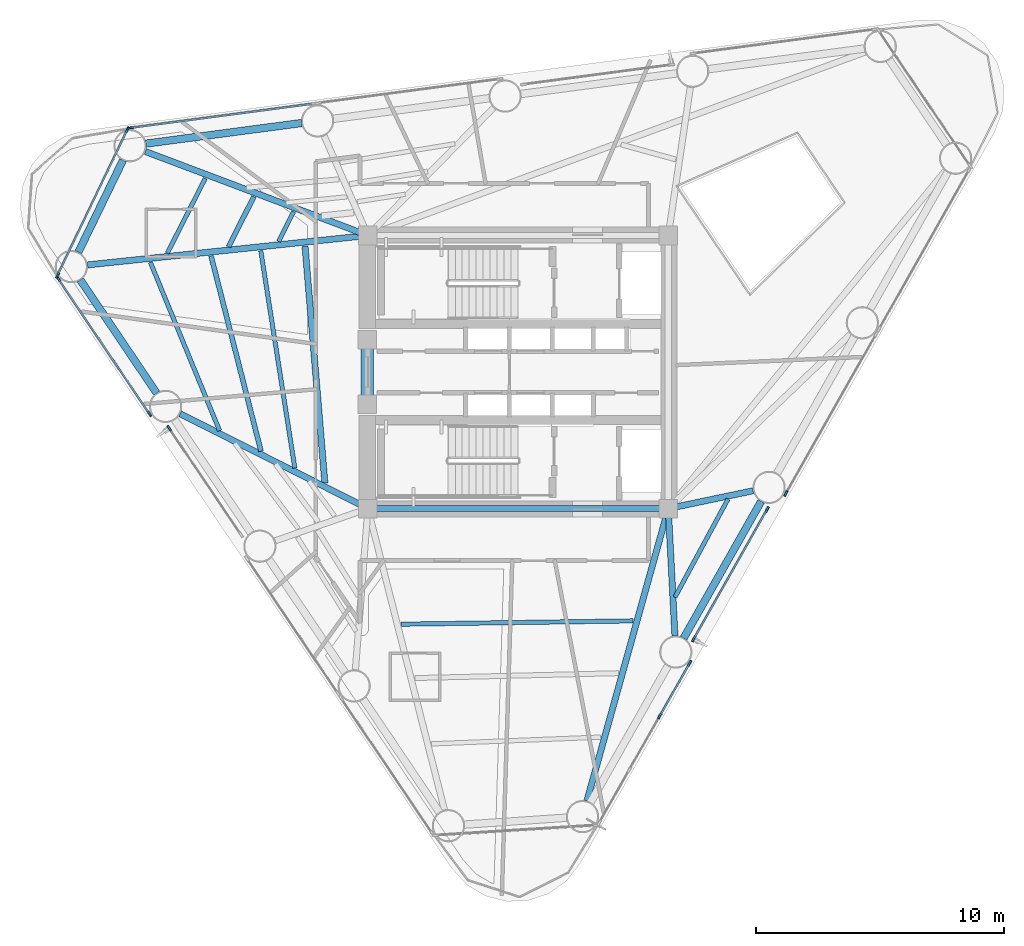
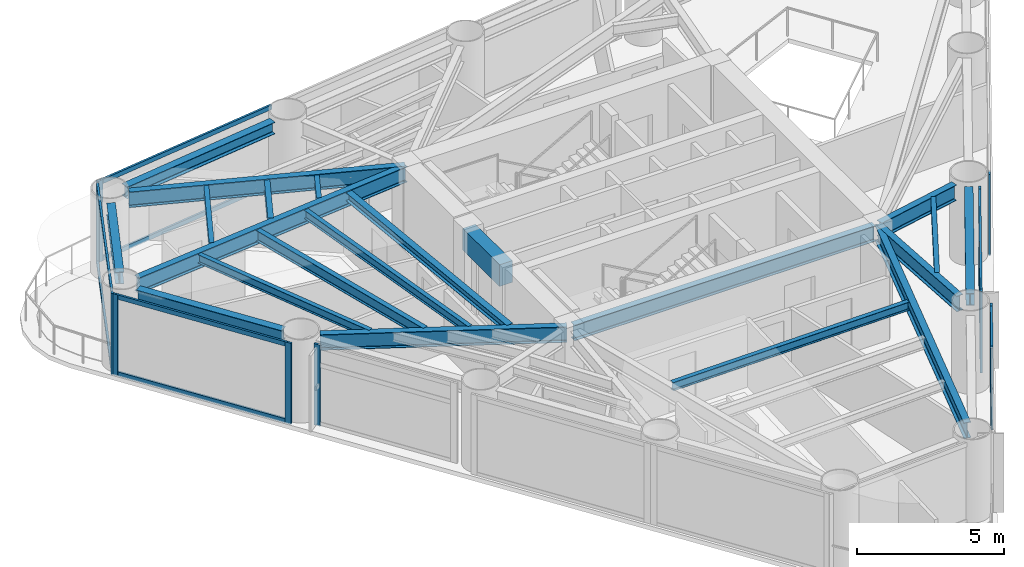
# One storey, part 2 of 9: 23 members, 21 beams, 7 elements without a shape of their own.
"""IFC4 building model written with IfcOpenShell, lengths in metres."""

import ifcopenshell
import ifcopenshell.guid

model = None  # the IFC model being written
_history = None  # IfcOwnerHistory: only IFC2X3 demands one
_inside = {}  # id of a spatial element -> (the spatial element, [elements in it])
_under = {}  # id of a project, library or spatial element -> (it, [spatial elements below it])
_declared = {}  # id of a project -> (the project, [libraries it declares])
_typed = {}  # id of a type object -> (the type object, [elements of that type])
_made_of = {}  # id of a material, layer set ... -> (it, [elements and type objects made of it])


def new_model(schema):
    """Start an empty IFC model of exactly this schema.

    Asked for "IFC4X3", IfcOpenShell would pick the latest addendum, in which some entities
    have other attributes; the version numbers below select the first issue.
    IFC2X3 requires an IfcOwnerHistory on every rooted entity: one is made here for all.
    """
    global model, _history
    if schema == "IFC4X3":
        model = ifcopenshell.file(schema_version=(4, 3, 0, 0))
    else:
        model = ifcopenshell.file(schema=schema)
    _inside.clear()
    _under.clear()
    _declared.clear()
    _typed.clear()
    _made_of.clear()
    _history = None
    if model.schema == "IFC2X3":
        org = make("IfcOrganization", Name="unknown")
        user = make(
            "IfcPersonAndOrganization",
            ThePerson=make("IfcPerson", FamilyName="unknown"),
            TheOrganization=org,
        )
        app = make(
            "IfcApplication",
            ApplicationDeveloper=org,
            Version="unknown",
            ApplicationFullName="unknown",
            ApplicationIdentifier="unknown",
        )
        _history = make(
            "IfcOwnerHistory",
            OwningUser=user,
            OwningApplication=app,
            ChangeAction="ADDED",
            CreationDate=0,
        )
    return model


def make(cls, **values):
    """One entity of the class cls with the attributes given. An attribute that is None is left unset."""
    return model.create_entity(
        cls, **{name: value for name, value in values.items() if value is not None}
    )


def rooted(cls, **values):
    """An entity with a GlobalId (a new one), such as an element, a storey or a relation."""
    return make(cls, GlobalId=ifcopenshell.guid.new(), OwnerHistory=_history, **values)


def si_unit(unit_type, name, prefix=None):
    """IfcSIUnit, for example si_unit("LENGTHUNIT", "METRE", prefix="MILLI")."""
    return make("IfcSIUnit", UnitType=unit_type, Prefix=prefix, Name=name)


def assignment(units):
    """IfcUnitAssignment: the units of a project."""
    return None if units is None else make("IfcUnitAssignment", Units=units)


def point(xyz):
    """IfcCartesianPoint."""
    return None if xyz is None else make("IfcCartesianPoint", Coordinates=xyz)


def direction(xyz):
    """IfcDirection."""
    return None if xyz is None else make("IfcDirection", DirectionRatios=xyz)


def frame(location, z_axis=None, x_axis=None):
    """IfcAxis2Placement3D, a coordinate frame: its origin and axes. An axis left out is left unset."""
    return make(
        "IfcAxis2Placement3D",
        Location=point(location),
        Axis=direction(z_axis),
        RefDirection=direction(x_axis),
    )


def frame_2d(location, x_axis=None):
    """IfcAxis2Placement2D, a coordinate frame in the plane: its origin and x axis."""
    return make(
        "IfcAxis2Placement2D", Location=point(location), RefDirection=direction(x_axis)
    )


def origin():
    """The frame at (0, 0, 0) with its axes left unset."""
    return frame((0.0, 0.0, 0.0))


def origin_2d():
    """The frame at (0, 0) in the plane with its x axis left unset."""
    return frame_2d((0.0, 0.0))


def place(relative_to, where):
    """IfcLocalPlacement: puts the frame where relative to a parent placement (None: the world)."""
    return make(
        "IfcLocalPlacement", PlacementRelTo=relative_to, RelativePlacement=where
    )


def context(
    kind, dimensions, precision=None, world=None, true_north=None, identifier=None
):
    """IfcGeometricRepresentationContext, for example the 3D "Model" context."""
    return make(
        "IfcGeometricRepresentationContext",
        ContextIdentifier=identifier,
        ContextType=kind,
        CoordinateSpaceDimension=dimensions,
        Precision=precision,
        WorldCoordinateSystem=world,
        TrueNorth=true_north,
    )


def subcontext(parent, identifier, kind, view, scale=None):
    """IfcGeometricRepresentationSubContext, for example "Body" below "Model"."""
    return make(
        "IfcGeometricRepresentationSubContext",
        ContextIdentifier=identifier,
        ContextType=kind,
        ParentContext=parent,
        TargetScale=scale,
        TargetView=view,
    )


def project(units=None, contexts=None):
    """IfcProject with its units and contexts."""
    return rooted(
        "IfcProject",
        Name="project",
        RepresentationContexts=contexts,
        UnitsInContext=assignment(units),
    )


def spatial(cls, under=None, at=None, **own):
    """A site, building, storey or space (cls), placed at a placement, below another one or the project."""
    s = rooted(cls, ObjectPlacement=at, **own)
    if under is not None:
        _under.setdefault(under.id(), (under, []))[1].append(s)
    return s


def profile(cls, at=None, kind="AREA", **sizes):
    """A parametric profile (cls). Its sizes go by their IFC names, for example OverallWidth=200.0."""
    return make(cls, ProfileType=kind, Position=at, **sizes)


def rectangle(**sizes):
    """IfcRectangleProfileDef."""
    return profile("IfcRectangleProfileDef", **sizes)


def i_section(**sizes):
    """IfcIShapeProfileDef."""
    return profile("IfcIShapeProfileDef", **sizes)


def extrude(swept, where, along, depth):
    """IfcExtrudedAreaSolid: the profile swept, set in the frame where, extruded along a direction by depth."""
    return make(
        "IfcExtrudedAreaSolid",
        SweptArea=swept,
        Position=where,
        ExtrudedDirection=direction(along),
        Depth=depth,
    )


def shape(context_of_items, identifier, shape_type, items):
    """IfcShapeRepresentation: the items that make up one representation, for example the "Body"."""
    return make(
        "IfcShapeRepresentation",
        ContextOfItems=context_of_items,
        RepresentationIdentifier=identifier,
        RepresentationType=shape_type,
        Items=items,
    )


def source(mapping_origin, context_of_items, identifier, shape_type, items):
    """IfcRepresentationMap: a shape defined once, which mapped items show again and again."""
    return make(
        "IfcRepresentationMap",
        MappingOrigin=mapping_origin,
        MappedRepresentation=shape(context_of_items, identifier, shape_type, items),
    )


def transform(
    local_origin,
    x_axis=None,
    y_axis=None,
    z_axis=None,
    scale=None,
    scale2=None,
    scale3=None,
    uniform=True,
):
    """IfcCartesianTransformationOperator3D, or its non-uniform kind. x_axis, y_axis, z_axis: its Axis1, 2, 3."""
    if uniform:
        return make(
            "IfcCartesianTransformationOperator3D",
            Axis1=direction(x_axis),
            Axis2=direction(y_axis),
            LocalOrigin=point(local_origin),
            Scale=scale,
            Axis3=direction(z_axis),
        )
    return make(
        "IfcCartesianTransformationOperator3DnonUniform",
        Axis1=direction(x_axis),
        Axis2=direction(y_axis),
        LocalOrigin=point(local_origin),
        Scale=scale,
        Axis3=direction(z_axis),
        Scale2=scale2,
        Scale3=scale3,
    )


def mapped(mapping_source, mapping_target):
    """IfcMappedItem: shows the shape of a source again, moved by a transform."""
    return make(
        "IfcMappedItem", MappingSource=mapping_source, MappingTarget=mapping_target
    )


def material(Name=None, Category=None):
    """IfcMaterial."""
    return make("IfcMaterial", Name=Name, Category=Category)


def layer(
    of_material, thickness, ventilated=None, Name=None, Category=None, Priority=None
):
    """IfcMaterialLayer: one layer of a wall or slab, of a material (None: an air gap)."""
    return make(
        "IfcMaterialLayer",
        Material=of_material,
        LayerThickness=thickness,
        IsVentilated=ventilated,
        Name=Name,
        Category=Category,
        Priority=Priority,
    )


def layer_set(layers, Name=None):
    """IfcMaterialLayerSet."""
    return make("IfcMaterialLayerSet", MaterialLayers=layers, LayerSetName=Name)


def material_profile(
    of_material, cross_section, Name=None, Category=None, Priority=None
):
    """IfcMaterialProfile: a cross section and its material."""
    return make(
        "IfcMaterialProfile",
        Name=Name,
        Material=of_material,
        Profile=cross_section,
        Priority=Priority,
        Category=Category,
    )


def profile_set(profiles, Name=None, composite=None):
    """IfcMaterialProfileSet."""
    return make(
        "IfcMaterialProfileSet",
        Name=Name,
        MaterialProfiles=profiles,
        CompositeProfile=composite,
    )


def made_of(thing, what):
    """Note that an element or type object is made of a material, layer set ...; save() writes the relation."""
    if what is not None:
        _made_of.setdefault(what.id(), (what, []))[1].append(thing)
    return thing


def type_object(cls, material=None, **own):
    """A type object (cls), such as IfcWallType, which elements share."""
    return made_of(rooted(cls, **own), material)


def element(
    cls,
    number,
    at=None,
    inside=None,
    cuts=None,
    type_object=None,
    material=None,
    context=None,
    identifier="Body",
    shape_type=None,
    held_by="IfcProductDefinitionShape",
    body=None,
    shapes=None,
    **own,
):
    """One element of the class cls, such as IfcWall. Its Tag is "e" and its number.

    at: its placement. inside: the storey or other place that contains it. cuts: it is an
    opening in that element (IfcRelVoidsElement). A single representation is given by context,
    identifier, shape_type and body (its items); several are given by shapes. held_by: the class
    of the entity that holds the representations. save() writes the other relations.
    """
    e = rooted(cls, Tag="e%d" % number, ObjectPlacement=at, **own)
    if body is not None:
        shapes = [shape(context, identifier, shape_type, body)]
    if shapes is not None:
        e.Representation = make(held_by, Representations=shapes)
    if inside is not None:
        _inside.setdefault(inside.id(), (inside, []))[1].append(e)
    if cuts is not None:
        rooted(
            "IfcRelVoidsElement", RelatingBuildingElement=cuts, RelatedOpeningElement=e
        )
    if type_object is not None:
        _typed.setdefault(type_object.id(), (type_object, []))[1].append(e)
    return made_of(e, material)


def aggregate(whole, parts):
    """IfcRelAggregates: a whole, such as a stair, and the parts it consists of."""
    return rooted("IfcRelAggregates", RelatingObject=whole, RelatedObjects=parts)


def save(model, path):
    """Write the relations noted so far, then the file.

    IfcRelAggregates (storeys below a building ...), IfcRelContainedInSpatialStructure (elements
    in a storey), IfcRelDefinesByType, IfcRelAssociatesMaterial and IfcRelDeclares: one each for
    every whole, place, type object, material and project.
    """
    for whole, parts in _under.values():
        aggregate(whole, parts)
    for where, things in _inside.values():
        rooted(
            "IfcRelContainedInSpatialStructure",
            RelatedElements=things,
            RelatingStructure=where,
        )
    for kind, things in _typed.values():
        rooted("IfcRelDefinesByType", RelatedObjects=things, RelatingType=kind)
    for what, things in _made_of.values():
        rooted("IfcRelAssociatesMaterial", RelatedObjects=things, RelatingMaterial=what)
    for by, libraries in _declared.values():
        rooted("IfcRelDeclares", RelatingContext=by, RelatedDefinitions=libraries)
    model.write(path)


model = new_model("IFC4")

# Units and contexts
model_context = context("Model", 3, precision=1e-05, world=origin(), true_north=direction((0.0, 1.0)))
body_context = subcontext(model_context, "Body", "Model", "MODEL_VIEW")
ifc_project = project(units=[si_unit("LENGTHUNIT", "METRE"), si_unit("AREAUNIT", "SQUARE_METRE"), si_unit("VOLUMEUNIT", "CUBIC_METRE"), si_unit("PLANEANGLEUNIT", "RADIAN"), si_unit("MASSUNIT", "GRAM", prefix="KILO")], contexts=[model_context])

# Site, building, storey
site_placement = place(None, origin())
site = spatial("IfcSite", under=ifc_project, at=site_placement, CompositionType="ELEMENT")
building_placement = place(site_placement, origin())
building = spatial("IfcBuilding", under=site, at=building_placement, Name="Yunling Apex Tower", CompositionType="ELEMENT")
storey_placement = place(building_placement, frame((0.0, 0.0, 179.449951171875)))
storey = spatial("IfcBuildingStorey", under=building, at=storey_placement, Name="L44", CompositionType="ELEMENT", Elevation=179.449951171875)

# Beams
ifc_material_1 = material(Name="Concrete C50", Category="concrete")
ifc_material_profile_1 = material_profile(ifc_material_1, rectangle(XDim=0.5, YDim=0.89990234375, at=origin_2d()))
ifc_profile_set_1 = profile_set([ifc_material_profile_1], Name="Concrete C50")
beam_type_1 = type_object("IfcBeamType", Name="BC-CPL-2", PredefinedType="BEAM", material=ifc_profile_set_1)
shared_shape_1 = source(origin(), body_context, "Body", "SweptSolid", [
    extrude(rectangle(XDim=0.5, YDim=0.89990234375, at=origin_2d()), origin(), (0.0, 0.0, 1.0), 2.5),
])
beam_1_placement = place(storey_placement, frame((-6.074951171875, -1.25, 2.820068359375), z_axis=(0.0, 1.0, 0.0), x_axis=(-1.0, 0.0, 0.0)))
element("IfcBeam", 1, at=beam_1_placement, inside=storey, type_object=beam_type_1, Name="L44 Core West Portal Coupling Beam", PredefinedType="BEAM", context=body_context, shape_type="MappedRepresentation", body=[
    mapped(shared_shape_1, transform((0.0, 0.0, 0.0), scale=1.0)),
])
ifc_material_2 = material(Name="Steel Q355B", Category="steel")
ifc_material_profile_2 = material_profile(ifc_material_2, i_section(OverallWidth=0.25, OverallDepth=0.64990234375, WebThickness=0.011962890625, FlangeThickness=0.02001953125, FilletRadius=0.02392578125, at=origin_2d()))
ifc_profile_set_2 = profile_set([ifc_material_profile_2], Name="Steel Q355B")
beam_type_2 = type_object("IfcBeamType", Name="BG-PRI-4", PredefinedType="USERDEFINED", material=ifc_profile_set_2)
shared_shape_2 = source(origin(), body_context, "Body", "SweptSolid", [
    extrude(i_section(OverallWidth=0.25, OverallDepth=0.64990234375, WebThickness=0.011962890625, FlangeThickness=0.02001953125, FilletRadius=0.02392578125, at=origin_2d()), origin(), (0.0, 0.0, 1.0), 11.7998046875),
])
beam_2_placement = place(storey_placement, frame((-5.89990234375, -5.5, 2.945068359375), z_axis=(1.0, 0.0, 0.0), x_axis=(0.0, 1.0, 0.0)))
element("IfcBeam", 2, at=beam_2_placement, inside=storey, type_object=beam_type_2, Name="L44 Core Ring Tie Beam 1", ObjectType="GIRDER", PredefinedType="USERDEFINED", context=body_context, shape_type="MappedRepresentation", body=[
    mapped(shared_shape_2, transform((0.0, 0.0, 0.0), scale=1.0)),
])
ifc_material_profile_3 = material_profile(ifc_material_2, i_section(OverallWidth=0.300048828125, OverallDepth=0.489990234375, WebThickness=0.010986328125, FlangeThickness=0.01806640625, FilletRadius=0.02197265625, at=origin_2d()))
ifc_profile_set_3 = profile_set([ifc_material_profile_3], Name="Steel Q355B")
beam_type_3 = type_object("IfcBeamType", Name="BP-SPN-2", PredefinedType="SPANDREL", material=ifc_profile_set_3)
shared_shape_3 = source(origin(), body_context, "Body", "SweptSolid", [
    extrude(i_section(OverallWidth=0.300048828125, OverallDepth=0.489990234375, WebThickness=0.010986328125, FlangeThickness=0.01806640625, FilletRadius=0.02197265625, at=origin_2d()), origin(), (0.0, 0.0, 1.0), 6.33251953125),
])
for number, where, z_axis, x_axis, name in (
    (3, (6.66943359375, -10.717529296875, 3.025146484375), (0.493030081742, 0.870012263418, 0.0), (-0.870012263418, 0.493030081742, 0.0), "L44 Perimeter Spandrel Beam 2"),
    (4, (-8.715576171875, 10.02978515625, 3.025146484375), (-0.991351373324, -0.131234349957, 0.0), (0.131234349957, -0.991351373324, 0.0), "L44 Perimeter Spandrel Beam 9"),
):
    element("IfcBeam", number, at=place(storey_placement, frame(where, z_axis=z_axis, x_axis=x_axis)), inside=storey, type_object=beam_type_3, Name=name, PredefinedType="SPANDREL", context=body_context, shape_type="MappedRepresentation", body=[
        mapped(shared_shape_3, transform((0.0, 0.0, 0.0), scale=1.0)),
    ])
shared_shape_4 = source(origin(), body_context, "Body", "SweptSolid", [
    extrude(i_section(OverallWidth=0.300048828125, OverallDepth=0.489990234375, WebThickness=0.010986328125, FlangeThickness=0.01806640625, FilletRadius=0.02197265625, at=origin_2d()), origin(), (0.0, 0.0, 1.0), 4.1240234375),
])
beam_3_placement = place(storey_placement, frame((-15.9130859375, 8.534912109375, 3.025146484375), z_axis=(-0.436645295051, -0.899633751206, 0.0), x_axis=(0.899633751206, -0.436645295051, 0.0)))
element("IfcBeam", 5, at=beam_3_placement, inside=storey, type_object=beam_type_3, Name="L44 Perimeter Spandrel Beam 10", PredefinedType="SPANDREL", context=body_context, shape_type="MappedRepresentation", body=[
    mapped(shared_shape_4, transform((0.0, 0.0, 0.0), scale=1.0)),
])
shared_shape_5 = source(origin(), body_context, "Body", "SweptSolid", [
    extrude(i_section(OverallWidth=0.300048828125, OverallDepth=0.489990234375, WebThickness=0.010986328125, FlangeThickness=0.01806640625, FilletRadius=0.02197265625, at=origin_2d()), origin(), (0.0, 0.0, 1.0), 5.5029296875),
])
beam_4_placement = place(storey_placement, frame((-17.635009765625, 3.711181640625, 3.025146484375), z_axis=(0.559227477119, -0.829014251286, 0.0), x_axis=(0.829014251286, 0.559227477119, 0.0)))
element("IfcBeam", 6, at=beam_4_placement, inside=storey, type_object=beam_type_3, Name="L44 Perimeter Spandrel Beam 11", PredefinedType="SPANDREL", context=body_context, shape_type="MappedRepresentation", body=[
    mapped(shared_shape_5, transform((0.0, 0.0, 0.0), scale=1.0)),
])
shared_shape_6 = source(origin(), body_context, "Body", "SweptSolid", [
    extrude(i_section(OverallWidth=0.25, OverallDepth=0.64990234375, WebThickness=0.011962890625, FlangeThickness=0.02001953125, FilletRadius=0.02392578125, at=origin_2d()), origin(), (0.0, 0.0, 1.0), 12.141845703125),
])
beam_5_placement = place(storey_placement, frame((2.771240234375, -17.27392578125, 2.945068359375), z_axis=(0.268272262363, 0.9633431337, 0.0), x_axis=(-0.9633431337, 0.268272262363, 0.0)))
element("IfcBeam", 7, at=beam_5_placement, inside=storey, type_object=beam_type_2, Name="L44 Radial Primary Girder R01", ObjectType="GIRDER", PredefinedType="USERDEFINED", context=body_context, shape_type="MappedRepresentation", body=[
    mapped(shared_shape_6, transform((0.0, 0.0, 0.0), scale=1.0)),
])
shared_shape_7 = source(origin(), body_context, "Body", "SweptSolid", [
    extrude(i_section(OverallWidth=0.25, OverallDepth=0.64990234375, WebThickness=0.011962890625, FlangeThickness=0.02001953125, FilletRadius=0.02392578125, at=origin_2d()), origin(), (0.0, 0.0, 1.0), 5.0478515625),
])
beam_6_placement = place(storey_placement, frame((6.317626953125, -10.620849609375, 2.945068359375), z_axis=(-0.052185671931, 0.998637399482, 0.0), x_axis=(-0.998637399482, -0.052185671931, 0.0)))
element("IfcBeam", 8, at=beam_6_placement, inside=storey, type_object=beam_type_2, Name="L44 Radial Primary Girder R02", ObjectType="GIRDER", PredefinedType="USERDEFINED", context=body_context, shape_type="MappedRepresentation", body=[
    mapped(shared_shape_7, transform((0.0, 0.0, 0.0), scale=1.0)),
])
shared_shape_8 = source(origin(), body_context, "Body", "SweptSolid", [
    extrude(i_section(OverallWidth=0.25, OverallDepth=0.64990234375, WebThickness=0.011962890625, FlangeThickness=0.02001953125, FilletRadius=0.02392578125, at=origin_2d()), origin(), (0.0, 0.0, 1.0), 3.409423828125),
])
beam_7_placement = place(storey_placement, frame((9.465087890625, -4.783203125, 2.945068359375), z_axis=(-0.978668904593, -0.205443849219, 0.0), x_axis=(0.205443849219, -0.978668904593, 0.0)))
element("IfcBeam", 9, at=beam_7_placement, inside=storey, type_object=beam_type_2, Name="L44 Radial Primary Girder R03", ObjectType="GIRDER", PredefinedType="USERDEFINED", context=body_context, shape_type="MappedRepresentation", body=[
    mapped(shared_shape_8, transform((0.0, 0.0, 0.0), scale=1.0)),
])
shared_shape_9 = source(origin(), body_context, "Body", "SweptSolid", [
    extrude(i_section(OverallWidth=0.25, OverallDepth=0.64990234375, WebThickness=0.011962890625, FlangeThickness=0.02001953125, FilletRadius=0.02392578125, at=origin_2d()), origin(), (0.0, 0.0, 1.0), 9.502685546875),
])
beam_8_placement = place(storey_placement, frame((-15.01611328125, 8.882080078125, 2.945068359375), z_axis=(0.935649587533, -0.352930374648, 0.0), x_axis=(0.352930374648, 0.935649587533, 0.0)))
element("IfcBeam", 10, at=beam_8_placement, inside=storey, type_object=beam_type_2, Name="L44 Radial Primary Girder R10", ObjectType="GIRDER", PredefinedType="USERDEFINED", context=body_context, shape_type="MappedRepresentation", body=[
    mapped(shared_shape_9, transform((0.0, 0.0, 0.0), scale=1.0)),
])
shared_shape_10 = source(origin(), body_context, "Body", "SweptSolid", [
    extrude(i_section(OverallWidth=0.25, OverallDepth=0.64990234375, WebThickness=0.011962890625, FlangeThickness=0.02001953125, FilletRadius=0.02392578125, at=origin_2d()), origin(), (0.0, 0.0, 1.0), 11.272705078125),
])
beam_9_placement = place(storey_placement, frame((-17.340576171875, 4.31396484375, 2.945068359375), z_axis=(0.99452726712, 0.104477341825, 0.0), x_axis=(-0.104477341825, 0.99452726712, 0.0)))
element("IfcBeam", 11, at=beam_9_placement, inside=storey, type_object=beam_type_2, Name="L44 Radial Primary Girder R11", ObjectType="GIRDER", PredefinedType="USERDEFINED", context=body_context, shape_type="MappedRepresentation", body=[
    mapped(shared_shape_10, transform((0.0, 0.0, 0.0), scale=1.0)),
])
shared_shape_11 = source(origin(), body_context, "Body", "SweptSolid", [
    extrude(i_section(OverallWidth=0.25, OverallDepth=0.64990234375, WebThickness=0.011962890625, FlangeThickness=0.02001953125, FilletRadius=0.02392578125, at=origin_2d()), origin(), (0.0, 0.0, 1.0), 8.389892578125),
])
beam_10_placement = place(storey_placement, frame((-13.610107421875, -1.681396484375, 2.945068359375), z_axis=(0.892603997322, -0.450841550841, 0.0), x_axis=(0.450841550841, 0.892603997322, 0.0)))
element("IfcBeam", 12, at=beam_10_placement, inside=storey, type_object=beam_type_2, Name="L44 Radial Primary Girder R12", ObjectType="GIRDER", PredefinedType="USERDEFINED", context=body_context, shape_type="MappedRepresentation", body=[
    mapped(shared_shape_11, transform((0.0, 0.0, 0.0), scale=1.0)),
])
ifc_material_profile_4 = material_profile(ifc_material_2, i_section(OverallWidth=0.175048828125, OverallDepth=0.35009765625, WebThickness=0.007080078125, FlangeThickness=0.010986328125, FilletRadius=0.013916015625, at=origin_2d()))
ifc_profile_set_4 = profile_set([ifc_material_profile_4], Name="Steel Q355B")
beam_type_4 = type_object("IfcBeamType", Name="BJ-JST-1", PredefinedType="JOIST", material=ifc_profile_set_4)
shared_shape_12 = source(origin(), body_context, "Body", "SweptSolid", [
    extrude(i_section(OverallWidth=0.175048828125, OverallDepth=0.35009765625, WebThickness=0.007080078125, FlangeThickness=0.010986328125, FilletRadius=0.013916015625, at=origin_2d()), origin(), (0.0, 0.0, 1.0), 4.488525390625),
])
beam_11_placement = place(storey_placement, frame((6.31982421875, -9.068603515625, 3.094970703125), z_axis=(0.475594391265, 0.87966469464, 0.0), x_axis=(-0.87966469464, 0.475594391265, 0.0)))
element("IfcBeam", 13, at=beam_11_placement, inside=storey, type_object=beam_type_4, Name="L44 Composite Floor Joist BJ1-2", PredefinedType="JOIST", context=body_context, shape_type="MappedRepresentation", body=[
    mapped(shared_shape_12, transform((0.0, 0.0, 0.0), scale=1.0)),
])
ifc_material_profile_5 = material_profile(ifc_material_2, i_section(OverallWidth=0.199951171875, OverallDepth=0.449951171875, WebThickness=0.009033203125, FlangeThickness=0.013916015625, FilletRadius=0.01806640625, at=origin_2d()))
ifc_profile_set_5 = profile_set([ifc_material_profile_5], Name="Steel Q355B")
beam_type_5 = type_object("IfcBeamType", Name="BS-SEC-3", PredefinedType="BEAM", material=ifc_profile_set_5)
shared_shape_13 = source(origin(), body_context, "Body", "SweptSolid", [
    extrude(i_section(OverallWidth=0.199951171875, OverallDepth=0.449951171875, WebThickness=0.009033203125, FlangeThickness=0.013916015625, FilletRadius=0.01806640625, at=origin_2d()), origin(), (0.0, 0.0, 1.0), 2.260498046875),
])
beam_12_placement = place(storey_placement, frame((-10.642578125, 7.0625, 3.045166015625), z_axis=(-0.451356210078, -0.892343864003, 0.0), x_axis=(0.892343864003, -0.451356210078, 0.0)))
element("IfcBeam", 14, at=beam_12_placement, inside=storey, type_object=beam_type_5, Name="L44 Composite Floor Beam BS-10", PredefinedType="BEAM", context=body_context, shape_type="MappedRepresentation", body=[
    mapped(shared_shape_13, transform((0.0, 0.0, 0.0), scale=1.0)),
])
shared_shape_14 = source(origin(), body_context, "Body", "SweptSolid", [
    extrude(i_section(OverallWidth=0.175048828125, OverallDepth=0.35009765625, WebThickness=0.007080078125, FlangeThickness=0.010986328125, FilletRadius=0.013916015625, at=origin_2d()), origin(), (0.0, 0.0, 1.0), 3.380126953125),
])
beam_13_placement = place(storey_placement, frame((-12.59912109375, 7.80029296875, 3.094970703125), z_axis=(-0.452665854376, -0.891680225351, 0.0), x_axis=(0.891680225351, -0.452665854376, 0.0)))
element("IfcBeam", 15, at=beam_13_placement, inside=storey, type_object=beam_type_4, Name="L44 Composite Floor Joist BJ1-10", PredefinedType="JOIST", context=body_context, shape_type="MappedRepresentation", body=[
    mapped(shared_shape_14, transform((0.0, 0.0, 0.0), scale=1.0)),
])
shared_shape_15 = source(origin(), body_context, "Body", "SweptSolid", [
    extrude(i_section(OverallWidth=0.175048828125, OverallDepth=0.35009765625, WebThickness=0.007080078125, FlangeThickness=0.010986328125, FilletRadius=0.013916015625, at=origin_2d()), origin(), (0.0, 0.0, 1.0), 1.34375),
])
beam_14_placement = place(storey_placement, frame((-9.0419921875, 6.45849609375, 3.094970703125), z_axis=(-0.448956972961, -0.893553376374, 0.0), x_axis=(0.893553376374, -0.448956972961, 0.0)))
element("IfcBeam", 16, at=beam_14_placement, inside=storey, type_object=beam_type_4, Name="L44 Composite Floor Joist BJ3-10", PredefinedType="JOIST", context=body_context, shape_type="MappedRepresentation", body=[
    mapped(shared_shape_15, transform((0.0, 0.0, 0.0), scale=1.0)),
])
shared_shape_16 = source(origin(), body_context, "Body", "SweptSolid", [
    extrude(i_section(OverallWidth=0.199951171875, OverallDepth=0.449951171875, WebThickness=0.009033203125, FlangeThickness=0.013916015625, FilletRadius=0.01806640625, at=origin_2d()), origin(), (0.0, 0.0, 1.0), 8.121337890625),
])
beam_15_placement = place(storey_placement, frame((-12.3681640625, 4.677001953125, 3.045166015625), z_axis=(0.247914612688, -0.968781887122, 0.0), x_axis=(0.968781887122, 0.247914612688, 0.0)))
element("IfcBeam", 17, at=beam_15_placement, inside=storey, type_object=beam_type_5, Name="L44 Composite Floor Beam BS-11", PredefinedType="BEAM", context=body_context, shape_type="MappedRepresentation", body=[
    mapped(shared_shape_16, transform((0.0, 0.0, 0.0), scale=1.0)),
])
shared_shape_17 = source(origin(), body_context, "Body", "SweptSolid", [
    extrude(i_section(OverallWidth=0.175048828125, OverallDepth=0.35009765625, WebThickness=0.007080078125, FlangeThickness=0.010986328125, FilletRadius=0.013916015625, at=origin_2d()), origin(), (0.0, 0.0, 1.0), 7.34130859375),
])
beam_16_placement = place(storey_placement, frame((-14.8134765625, 4.425048828125, 3.094970703125), z_axis=(0.380043851262, -0.924968470337, 0.0), x_axis=(0.924968470337, 0.380043851262, 0.0)))
element("IfcBeam", 18, at=beam_16_placement, inside=storey, type_object=beam_type_4, Name="L44 Composite Floor Joist BJ1-11", PredefinedType="JOIST", context=body_context, shape_type="MappedRepresentation", body=[
    mapped(shared_shape_17, transform((0.0, 0.0, 0.0), scale=1.0)),
])
shared_shape_18 = source(origin(), body_context, "Body", "SweptSolid", [
    extrude(i_section(OverallWidth=0.175048828125, OverallDepth=0.35009765625, WebThickness=0.007080078125, FlangeThickness=0.010986328125, FilletRadius=0.013916015625, at=origin_2d()), origin(), (0.0, 0.0, 1.0), 8.861328125),
])
beam_17_placement = place(storey_placement, frame((-10.364990234375, 4.885986328125, 3.094970703125), z_axis=(0.154946679134, -0.987922834348, 0.0), x_axis=(0.987922834348, 0.154946679134, 0.0)))
element("IfcBeam", 19, at=beam_17_placement, inside=storey, type_object=beam_type_4, Name="L44 Composite Floor Joist BJ3-11", PredefinedType="JOIST", context=body_context, shape_type="MappedRepresentation", body=[
    mapped(shared_shape_18, transform((0.0, 0.0, 0.0), scale=1.0)),
])
ifc_material_profile_6 = material_profile(ifc_material_2, i_section(OverallWidth=0.25, OverallDepth=0.340087890625, WebThickness=0.009033203125, FlangeThickness=0.013916015625, FilletRadius=0.01806640625, at=origin_2d()))
ifc_profile_set_6 = profile_set([ifc_material_profile_6], Name="Steel Q355B")
beam_type_6 = type_object("IfcBeamType", Name="BJ-JST-2", PredefinedType="JOIST", material=ifc_profile_set_6)
shared_shape_19 = source(origin(), body_context, "Body", "SweptSolid", [
    extrude(i_section(OverallWidth=0.25, OverallDepth=0.340087890625, WebThickness=0.009033203125, FlangeThickness=0.013916015625, FilletRadius=0.01806640625, at=origin_2d()), origin(), (0.0, 0.0, 1.0), 9.578857421875),
])
beam_18_placement = place(storey_placement, frame((-8.582763671875, 5.072998046875, 3.10009765625), z_axis=(0.083572791263, -0.996501675142, 0.0), x_axis=(0.996501675142, 0.083572791263, 0.0)))
element("IfcBeam", 20, at=beam_18_placement, inside=storey, type_object=beam_type_6, Name="L44 Composite Floor Joist BJ2-11", PredefinedType="JOIST", context=body_context, shape_type="MappedRepresentation", body=[
    mapped(shared_shape_19, transform((0.0, 0.0, 0.0), scale=1.0)),
])
shared_shape_20 = source(origin(), body_context, "Body", "SweptSolid", [
    extrude(i_section(OverallWidth=0.175048828125, OverallDepth=0.35009765625, WebThickness=0.007080078125, FlangeThickness=0.010986328125, FilletRadius=0.013916015625, at=origin_2d()), origin(), (0.0, 0.0, 1.0), 9.337890625),
])
beam_19_placement = place(storey_placement, frame((-4.706298828125, -10.157958984375, 3.094970703125), z_axis=(0.99989735504, 0.014327574275, 0.0), x_axis=(-0.014327574275, 0.99989735504, 0.0)))
element("IfcBeam", 21, at=beam_19_placement, inside=storey, type_object=beam_type_4, Name="L44 Composite Floor Joist BJ3-15", PredefinedType="JOIST", context=body_context, shape_type="MappedRepresentation", body=[
    mapped(shared_shape_20, transform((0.0, 0.0, 0.0), scale=1.0)),
])

# Curtain wall, members
ifc_material_3 = material(Name="Bronze anodised aluminium", Category="aluminium")
ifc_layer = layer(ifc_material_3, 0.239990234375)
ifc_layer_set = layer_set([ifc_layer], Name="Bronze anodised aluminium")
curtain_wall_type = type_object("IfcCurtainWallType", Name="CW-SYS-3", PredefinedType="NOTDEFINED", material=ifc_layer_set)
curtain_wall_1_placement = place(storey_placement, origin())
curtain_wall_1 = element("IfcCurtainWall", 22, at=curtain_wall_1_placement, inside=storey, type_object=curtain_wall_type, Name="CW-L44-F1-B1", PredefinedType="NOTDEFINED")
ifc_material_profile_7 = material_profile(ifc_material_3, rectangle(XDim=0.080078125, YDim=0.239990234375, at=origin_2d()))
ifc_profile_set_7 = profile_set([ifc_material_profile_7], Name="Bronze anodised aluminium")
member_type_1 = type_object("IfcMemberType", Name="CW-MUL-3", PredefinedType="MULLION", material=ifc_profile_set_7)
shared_shape_21 = source(origin(), body_context, "Body", "SweptSolid", [
    extrude(rectangle(XDim=0.080078125, YDim=0.239990234375, at=origin_2d()), origin(), (0.0, 0.0, 1.0), 3.3701171875),
])
member_1_placement = place(storey_placement, frame((5.7041015625, -13.861083984375, -0.050048828125), z_axis=(0.0, 0.0, 1.0), x_axis=(-0.870006087438, 0.493040979859, 0.0)))
member_1 = element("IfcMember", 23, at=member_1_placement, type_object=member_type_1, Name="CW-SYS-3 mullion 3", PredefinedType="MULLION", context=body_context, shape_type="MappedRepresentation", body=[
    mapped(shared_shape_21, transform((0.0, 0.0, 0.0), scale=1.0)),
])
member_2_placement = place(storey_placement, frame((6.910400390625, -11.732421875, -0.050048828125), z_axis=(0.0, 0.0, 1.0), x_axis=(-0.870006087438, 0.493040979859, 0.0)))
member_2 = element("IfcMember", 24, at=member_2_placement, type_object=member_type_1, Name="CW-SYS-3 mullion 4", PredefinedType="MULLION", context=body_context, shape_type="MappedRepresentation", body=[
    mapped(shared_shape_21, transform((0.0, 0.0, 0.0), scale=1.0)),
])

curtain_wall_2_placement = place(storey_placement, origin())
curtain_wall_2 = element("IfcCurtainWall", 25, at=curtain_wall_2_placement, inside=storey, type_object=curtain_wall_type, Name="CW-L44-F1-B2", PredefinedType="NOTDEFINED")
member_3_placement = place(storey_placement, frame((7.0732421875, -10.755615234375, -0.050048828125), z_axis=(0.0, 0.0, 1.0), x_axis=(-0.87000266867, 0.493047012471, 0.0)))
member_3 = element("IfcMember", 26, at=member_3_placement, type_object=member_type_1, Name="CW-SYS-3 mullion 1", PredefinedType="MULLION", context=body_context, shape_type="MappedRepresentation", body=[
    mapped(shared_shape_21, transform((0.0, 0.0, 0.0), scale=1.0)),
])
member_4_placement = place(storey_placement, frame((10.03173828125, -5.53515625, -0.050048828125), z_axis=(0.0, 0.0, 1.0), x_axis=(-0.87000266867, 0.493047012471, 0.0)))
member_4 = element("IfcMember", 27, at=member_4_placement, type_object=member_type_1, Name="CW-SYS-3 mullion 2", PredefinedType="MULLION", context=body_context, shape_type="MappedRepresentation", body=[
    mapped(shared_shape_21, transform((0.0, 0.0, 0.0), scale=1.0)),
])

# Curtain wall, member
curtain_wall_3_placement = place(storey_placement, origin())
curtain_wall_3 = element("IfcCurtainWall", 28, at=curtain_wall_3_placement, inside=storey, type_object=curtain_wall_type, Name="CW-L44-F1-B3", PredefinedType="NOTDEFINED")
member_5_placement = place(storey_placement, frame((10.785888671875, -4.8935546875, -0.050048828125), z_axis=(0.0, 0.0, 1.0), x_axis=(-0.870009345679, 0.493035230416, 0.0)))
member_5 = element("IfcMember", 29, at=member_5_placement, type_object=member_type_1, Name="CW-SYS-3 mullion 1", PredefinedType="MULLION", context=body_context, shape_type="MappedRepresentation", body=[
    mapped(shared_shape_21, transform((0.0, 0.0, 0.0), scale=1.0)),
])
aggregate(curtain_wall_3, [member_5])

curtain_wall_4_placement = place(storey_placement, origin())
curtain_wall_4 = element("IfcCurtainWall", 30, at=curtain_wall_4_placement, inside=storey, type_object=curtain_wall_type, Name="CW-L44-F2-B4", PredefinedType="NOTDEFINED")
member_6_placement = place(storey_placement, frame((-15.60595703125, 9.833740234375, -0.050048828125), z_axis=(0.0, 0.0, 1.0), x_axis=(0.131222473138, -0.991352945496, 0.0)))
member_6 = element("IfcMember", 31, at=member_6_placement, type_object=member_type_1, Name="CW-SYS-3 mullion 2", PredefinedType="MULLION", context=body_context, shape_type="MappedRepresentation", body=[
    mapped(shared_shape_21, transform((0.0, 0.0, 0.0), scale=1.0)),
])

# Curtain wall, members
curtain_wall_5_placement = place(storey_placement, origin())
curtain_wall_5 = element("IfcCurtainWall", 32, at=curtain_wall_5_placement, inside=storey, type_object=curtain_wall_type, Name="CW-L44-CRN2", PredefinedType="NOTDEFINED")
member_7_placement = place(storey_placement, frame((-15.73974609375, 9.76220703125, -0.050048828125), z_axis=(0.0, 0.0, 1.0), x_axis=(0.901876554496, -0.431993843071, 0.0)))
member_7 = element("IfcMember", 33, at=member_7_placement, type_object=member_type_1, Name="CW-SYS-3 mullion 1", PredefinedType="MULLION", context=body_context, shape_type="MappedRepresentation", body=[
    mapped(shared_shape_21, transform((0.0, 0.0, 0.0), scale=1.0)),
])
member_8_placement = place(storey_placement, frame((-18.5498046875, 3.8955078125, -0.050048828125), z_axis=(0.0, 0.0, 1.0), x_axis=(0.901876554496, -0.431993843071, 0.0)))
member_8 = element("IfcMember", 34, at=member_8_placement, type_object=member_type_1, Name="CW-SYS-3 mullion 2", PredefinedType="MULLION", context=body_context, shape_type="MappedRepresentation", body=[
    mapped(shared_shape_21, transform((0.0, 0.0, 0.0), scale=1.0)),
])

curtain_wall_6_placement = place(storey_placement, origin())
curtain_wall_6 = element("IfcCurtainWall", 35, at=curtain_wall_6_placement, inside=storey, type_object=curtain_wall_type, Name="CW-L44-F3-B1", PredefinedType="NOTDEFINED")
member_9_placement = place(storey_placement, frame((-18.5166015625, 3.748779296875, -0.050048828125), z_axis=(0.0, 0.0, 1.0), x_axis=(0.829045302692, 0.559181442901, 0.0)))
member_9 = element("IfcMember", 36, at=member_9_placement, type_object=member_type_1, Name="CW-SYS-3 mullion 1", PredefinedType="MULLION", context=body_context, shape_type="MappedRepresentation", body=[
    mapped(shared_shape_21, transform((0.0, 0.0, 0.0), scale=1.0)),
])
member_10_placement = place(storey_placement, frame((-14.853271484375, -1.682373046875, -0.050048828125), z_axis=(0.0, 0.0, 1.0), x_axis=(0.829045302692, 0.559181442901, 0.0)))
member_10 = element("IfcMember", 37, at=member_10_placement, type_object=member_type_1, Name="CW-SYS-3 mullion 2", PredefinedType="MULLION", context=body_context, shape_type="MappedRepresentation", body=[
    mapped(shared_shape_21, transform((0.0, 0.0, 0.0), scale=1.0)),
])

# Curtain wall, member
curtain_wall_7_placement = place(storey_placement, origin())
curtain_wall_7 = element("IfcCurtainWall", 38, at=curtain_wall_7_placement, inside=storey, type_object=curtain_wall_type, Name="CW-L44-F3-B2", PredefinedType="NOTDEFINED")
member_11_placement = place(storey_placement, frame((-14.05126953125, -2.263427734375, -0.050048828125), z_axis=(0.0, 0.0, 1.0), x_axis=(0.829026137089, 0.559209856873, 0.0)))
member_11 = element("IfcMember", 39, at=member_11_placement, type_object=member_type_1, Name="CW-SYS-3 mullion 1", PredefinedType="MULLION", context=body_context, shape_type="MappedRepresentation", body=[
    mapped(shared_shape_21, transform((0.0, 0.0, 0.0), scale=1.0)),
])
aggregate(curtain_wall_7, [member_11])

# Member
ifc_material_profile_8 = material_profile(ifc_material_3, rectangle(XDim=0.080078125, YDim=0.18505859375, at=origin_2d()))
ifc_profile_set_8 = profile_set([ifc_material_profile_8], Name="Bronze anodised aluminium")
member_type_2 = type_object("IfcMemberType", Name="CW-TRN-3", PredefinedType="USERDEFINED", material=ifc_profile_set_8)
shared_shape_22 = source(origin(), body_context, "Body", "SweptSolid", [
    extrude(rectangle(XDim=0.080078125, YDim=0.18505859375, at=origin_2d()), origin(), (0.0, 0.0, 1.0), 2.374755859375),
])
member_12_placement = place(storey_placement, frame((5.721923828125, -13.829833984375, 0.0400390625), z_axis=(0.493035916127, 0.870008957085, 0.0), x_axis=(-0.870008957085, 0.493035916127, 0.0)))
member_12 = element("IfcMember", 40, at=member_12_placement, type_object=member_type_2, Name="CW-SYS-3 transom 3.1", ObjectType="TRANSOM", PredefinedType="USERDEFINED", context=body_context, shape_type="MappedRepresentation", body=[
    mapped(shared_shape_22, transform((0.0, 0.0, 0.0), scale=1.0)),
])

member_13_placement = place(storey_placement, frame((5.721923828125, -13.829833984375, 2.4853515625), z_axis=(0.493035916127, 0.870008957085, 0.0), x_axis=(-0.870008957085, 0.493035916127, 0.0)))
member_13 = element("IfcMember", 41, at=member_13_placement, type_object=member_type_2, Name="CW-SYS-3 transom 3.2", ObjectType="TRANSOM", PredefinedType="USERDEFINED", context=body_context, shape_type="MappedRepresentation", body=[
    mapped(shared_shape_22, transform((0.0, 0.0, 0.0), scale=1.0)),
])

member_14_placement = place(storey_placement, frame((5.721923828125, -13.829833984375, 3.22998046875), z_axis=(0.493035916127, 0.870008957085, 0.0), x_axis=(-0.870008957085, 0.493035916127, 0.0)))
member_14 = element("IfcMember", 42, at=member_14_placement, type_object=member_type_2, Name="CW-SYS-3 transom 3.3", ObjectType="TRANSOM", PredefinedType="USERDEFINED", context=body_context, shape_type="MappedRepresentation", body=[
    mapped(shared_shape_22, transform((0.0, 0.0, 0.0), scale=1.0)),
])

aggregate(curtain_wall_1, [member_1, member_2, member_12, member_13, member_14])

shared_shape_23 = source(origin(), body_context, "Body", "SweptSolid", [
    extrude(rectangle(XDim=0.080078125, YDim=0.18505859375, at=origin_2d()), origin(), (0.0, 0.0, 1.0), 5.9287109375),
])
member_15_placement = place(storey_placement, frame((7.0908203125, -10.724365234375, 0.0400390625), z_axis=(0.49304478118, 0.870003933182, 0.0), x_axis=(-0.870003933182, 0.49304478118, 0.0)))
member_15 = element("IfcMember", 43, at=member_15_placement, type_object=member_type_2, Name="CW-SYS-3 transom 1.1", ObjectType="TRANSOM", PredefinedType="USERDEFINED", context=body_context, shape_type="MappedRepresentation", body=[
    mapped(shared_shape_23, transform((0.0, 0.0, 0.0), scale=1.0)),
])

member_16_placement = place(storey_placement, frame((7.0908203125, -10.724365234375, 2.4853515625), z_axis=(0.49304478118, 0.870003933182, 0.0), x_axis=(-0.870003933182, 0.49304478118, 0.0)))
member_16 = element("IfcMember", 44, at=member_16_placement, type_object=member_type_2, Name="CW-SYS-3 transom 1.2", ObjectType="TRANSOM", PredefinedType="USERDEFINED", context=body_context, shape_type="MappedRepresentation", body=[
    mapped(shared_shape_23, transform((0.0, 0.0, 0.0), scale=1.0)),
])

member_17_placement = place(storey_placement, frame((7.0908203125, -10.724365234375, 3.22998046875), z_axis=(0.49304478118, 0.870003933182, 0.0), x_axis=(-0.870003933182, 0.49304478118, 0.0)))
member_17 = element("IfcMember", 45, at=member_17_placement, type_object=member_type_2, Name="CW-SYS-3 transom 1.3", ObjectType="TRANSOM", PredefinedType="USERDEFINED", context=body_context, shape_type="MappedRepresentation", body=[
    mapped(shared_shape_23, transform((0.0, 0.0, 0.0), scale=1.0)),
])

aggregate(curtain_wall_2, [member_3, member_4, member_15, member_16, member_17])

shared_shape_24 = source(origin(), body_context, "Body", "SweptSolid", [
    extrude(rectangle(XDim=0.080078125, YDim=0.18505859375, at=origin_2d()), origin(), (0.0, 0.0, 1.0), 7.30859375),
])
member_18_placement = place(storey_placement, frame((-8.324951171875, 10.797607421875, 0.0400390625), z_axis=(-0.991354063091, -0.131214029714, 0.0), x_axis=(0.131214029714, -0.991354063091, 0.0)))
member_18 = element("IfcMember", 46, at=member_18_placement, type_object=member_type_2, Name="CW-SYS-3 transom 1.1", ObjectType="TRANSOM", PredefinedType="USERDEFINED", context=body_context, shape_type="MappedRepresentation", body=[
    mapped(shared_shape_24, transform((0.0, 0.0, 0.0), scale=1.0)),
])

member_19_placement = place(storey_placement, frame((-8.324951171875, 10.797607421875, 3.22998046875), z_axis=(-0.991354063091, -0.131214029714, 0.0), x_axis=(0.131214029714, -0.991354063091, 0.0)))
member_19 = element("IfcMember", 47, at=member_19_placement, type_object=member_type_2, Name="CW-SYS-3 transom 1.2", ObjectType="TRANSOM", PredefinedType="USERDEFINED", context=body_context, shape_type="MappedRepresentation", body=[
    mapped(shared_shape_24, transform((0.0, 0.0, 0.0), scale=1.0)),
])

aggregate(curtain_wall_4, [member_6, member_18, member_19])

shared_shape_25 = source(origin(), body_context, "Body", "SweptSolid", [
    extrude(rectangle(XDim=0.080078125, YDim=0.18505859375, at=origin_2d()), origin(), (0.0, 0.0, 1.0), 6.43310546875),
])
member_20_placement = place(storey_placement, frame((-15.755126953125, 9.729736328125, 0.0400390625), z_axis=(-0.431999289768, -0.901873945538, 0.0), x_axis=(0.901873945538, -0.431999289768, 0.0)))
member_20 = element("IfcMember", 48, at=member_20_placement, type_object=member_type_2, Name="CW-SYS-3 transom 1.1", ObjectType="TRANSOM", PredefinedType="USERDEFINED", context=body_context, shape_type="MappedRepresentation", body=[
    mapped(shared_shape_25, transform((0.0, 0.0, 0.0), scale=1.0)),
])

member_21_placement = place(storey_placement, frame((-15.755126953125, 9.729736328125, 3.22998046875), z_axis=(-0.431999289768, -0.901873945538, 0.0), x_axis=(0.901873945538, -0.431999289768, 0.0)))
member_21 = element("IfcMember", 49, at=member_21_placement, type_object=member_type_2, Name="CW-SYS-3 transom 1.2", ObjectType="TRANSOM", PredefinedType="USERDEFINED", context=body_context, shape_type="MappedRepresentation", body=[
    mapped(shared_shape_25, transform((0.0, 0.0, 0.0), scale=1.0)),
])

aggregate(curtain_wall_5, [member_7, member_8, member_20, member_21])

shared_shape_26 = source(origin(), body_context, "Body", "SweptSolid", [
    extrude(rectangle(XDim=0.080078125, YDim=0.18505859375, at=origin_2d()), origin(), (0.0, 0.0, 1.0), 6.479248046875),
])
member_22_placement = place(storey_placement, frame((-18.496337890625, 3.718994140625, 0.0400390625), z_axis=(0.559179012054, -0.829046942265, 0.0), x_axis=(0.829046942265, 0.559179012054, 0.0)))
member_22 = element("IfcMember", 50, at=member_22_placement, type_object=member_type_2, Name="CW-SYS-3 transom 1.1", ObjectType="TRANSOM", PredefinedType="USERDEFINED", context=body_context, shape_type="MappedRepresentation", body=[
    mapped(shared_shape_26, transform((0.0, 0.0, 0.0), scale=1.0)),
])

member_23_placement = place(storey_placement, frame((-18.496337890625, 3.718994140625, 3.22998046875), z_axis=(0.559179012054, -0.829046942265, 0.0), x_axis=(0.829046942265, 0.559179012054, 0.0)))
member_23 = element("IfcMember", 51, at=member_23_placement, type_object=member_type_2, Name="CW-SYS-3 transom 1.2", ObjectType="TRANSOM", PredefinedType="USERDEFINED", context=body_context, shape_type="MappedRepresentation", body=[
    mapped(shared_shape_26, transform((0.0, 0.0, 0.0), scale=1.0)),
])

aggregate(curtain_wall_6, [member_9, member_10, member_22, member_23])

save(model, "model.ifc")
